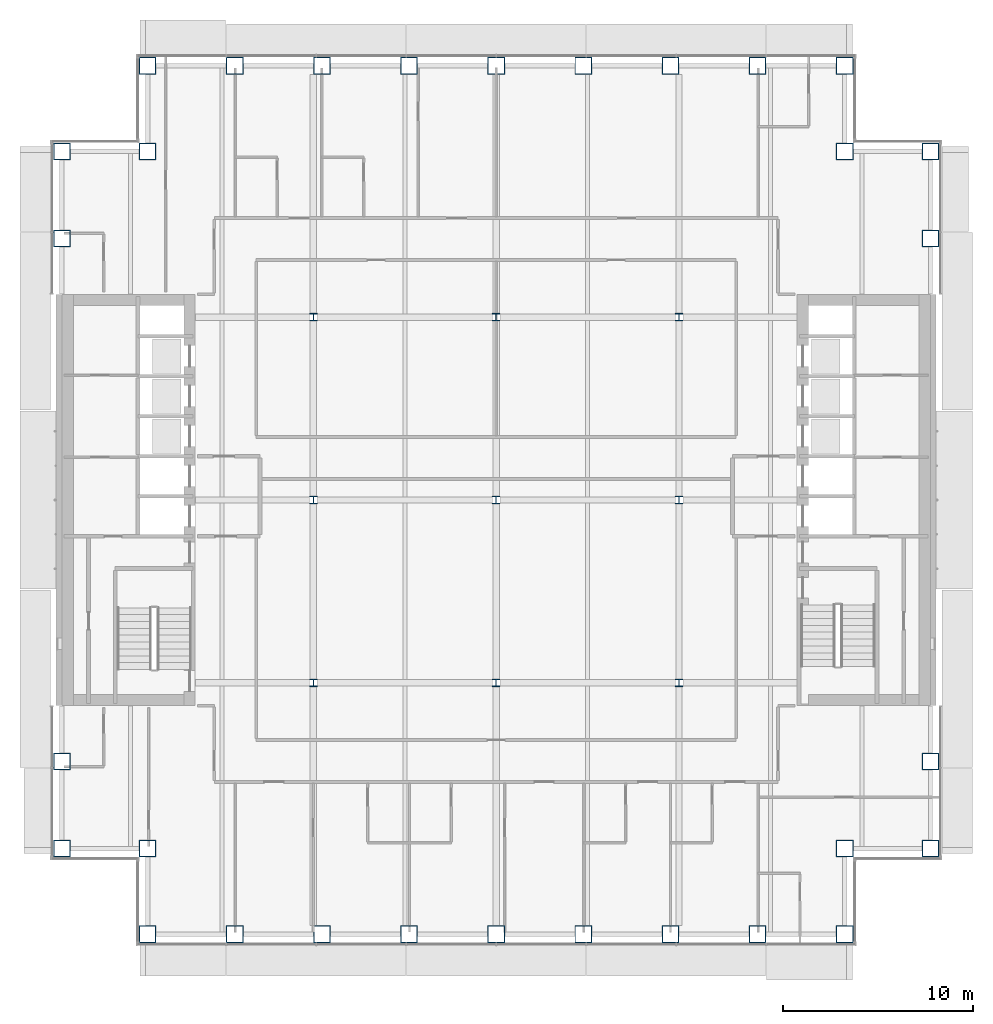
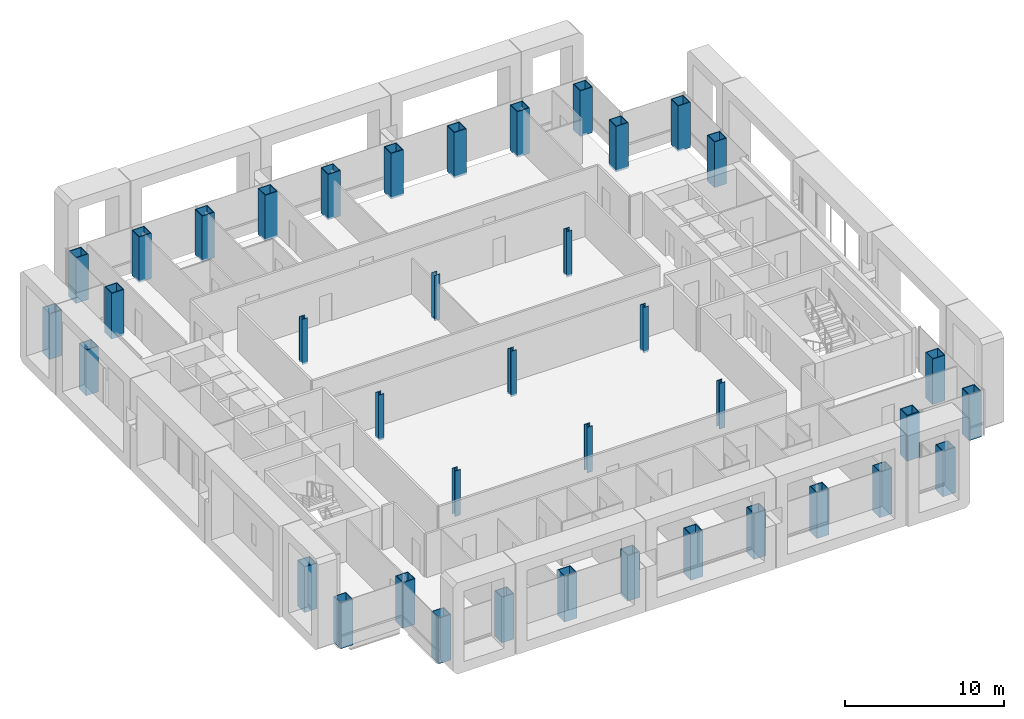
# One storey, part 1 of 19: 39 columns.
"""IFC4 building model written with IfcOpenShell, lengths in metres."""

from ifc_helpers import new_model, si_unit, direction, frame, origin, origin_2d, place, context, subcontext, project, spatial, hollow_rectangle, i_section, extrude, material, material_profile, profile_set, type_object, element, save


model = new_model("IFC4")

# Units and contexts
model_context = context("Model", 3, precision=1e-05, world=origin(), true_north=direction((0.0, 1.0)))
body_context = subcontext(model_context, "Body", "Model", "MODEL_VIEW")
ifc_project = project(units=[si_unit("LENGTHUNIT", "METRE"), si_unit("AREAUNIT", "SQUARE_METRE"), si_unit("VOLUMEUNIT", "CUBIC_METRE"), si_unit("PLANEANGLEUNIT", "RADIAN"), si_unit("MASSUNIT", "GRAM", prefix="KILO")], contexts=[model_context])

# Site, building, storey
site_placement = place(None, origin())
site = spatial("IfcSite", under=ifc_project, at=site_placement, CompositionType="ELEMENT")
building_placement = place(site_placement, origin())
building = spatial("IfcBuilding", under=site, at=building_placement, Name="Cobrizo Arcos Hotel Tower", CompositionType="ELEMENT")
storey_placement = place(building_placement, frame((0.0, 0.0, 103.0)))
storey = spatial("IfcBuildingStorey", under=building, at=storey_placement, Name="L25", CompositionType="ELEMENT", Elevation=103.0)

# Columns
ifc_material_1 = material(Name="Steel ASTM A572 Grade 50", Category="steel")
ifc_material_profile_1 = material_profile(ifc_material_1, hollow_rectangle(XDim=0.89990234375, YDim=0.89990234375, WallThickness=0.050048828125, at=origin_2d()), Name="BOX 900X900X50")
ifc_profile_set_1 = profile_set([ifc_material_profile_1], Name="Steel ASTM A572 Grade 50")
column_type_1 = type_object("IfcColumnType", Name="BOX 900X900X50 column", PredefinedType="COLUMN", material=ifc_profile_set_1)
for number, where, z_axis, x_axis, name in (
    (1, (-18.300048828125, 22.800048828125, -0.14990234375), (0.0, 0.0, 1.0), (1.0, 0.0, 0.0), "Perimeter column C6, L25, no. 00"),
    (2, (-18.300048828125, -22.800048828125, -0.14990234375), (0.0, 0.0, 1.0), (1.0, 0.0, 0.0), "Perimeter column C6, L25, no. 01"),
    (3, (-13.72509765625, 22.800048828125, -0.14990234375), (0.0, 0.0, 1.0), (1.0, 0.0, 0.0), "Perimeter column C6, L25, no. 02"),
    (4, (-13.72509765625, -22.800048828125, -0.14990234375), (0.0, 0.0, 1.0), (1.0, 0.0, 0.0), "Perimeter column C6, L25, no. 03"),
    (5, (-9.14990234375, 22.800048828125, -0.14990234375), (0.0, 0.0, 1.0), (1.0, 0.0, 0.0), "Perimeter column C6, L25, no. 04"),
    (6, (-9.14990234375, -22.800048828125, -0.14990234375), (0.0, 0.0, 1.0), (1.0, 0.0, 0.0), "Perimeter column C6, L25, no. 05"),
    (7, (-4.574951171875, 22.800048828125, -0.14990234375), (0.0, 0.0, 1.0), (1.0, 0.0, 0.0), "Perimeter column C6, L25, no. 06"),
    (8, (-4.574951171875, -22.800048828125, -0.14990234375), (0.0, 0.0, 1.0), (1.0, 0.0, 0.0), "Perimeter column C6, L25, no. 07"),
    (9, (0.0, 22.800048828125, -0.14990234375), (0.0, 0.0, 1.0), (1.0, 0.0, 0.0), "Perimeter column C6, L25, no. 08"),
    (10, (0.0, -22.800048828125, -0.14990234375), (0.0, 0.0, 1.0), (1.0, 0.0, 0.0), "Perimeter column C6, L25, no. 09"),
    (11, (4.574951171875, 22.800048828125, -0.14990234375), (0.0, 0.0, 1.0), (1.0, 0.0, 0.0), "Perimeter column C6, L25, no. 10"),
    (12, (4.574951171875, -22.800048828125, -0.14990234375), (0.0, 0.0, 1.0), (1.0, 0.0, 0.0), "Perimeter column C6, L25, no. 11"),
    (13, (9.14990234375, 22.800048828125, -0.14990234375), (0.0, 0.0, 1.0), (1.0, 0.0, 0.0), "Perimeter column C6, L25, no. 12"),
    (14, (9.14990234375, -22.800048828125, -0.14990234375), (0.0, 0.0, 1.0), (1.0, 0.0, 0.0), "Perimeter column C6, L25, no. 13"),
    (15, (13.72509765625, 22.800048828125, -0.14990234375), (0.0, 0.0, 1.0), (1.0, 0.0, 0.0), "Perimeter column C6, L25, no. 14"),
    (16, (13.72509765625, -22.800048828125, -0.14990234375), (0.0, 0.0, 1.0), (1.0, 0.0, 0.0), "Perimeter column C6, L25, no. 15"),
    (17, (18.300048828125, 22.800048828125, -0.14990234375), (0.0, 0.0, 1.0), (1.0, 0.0, 0.0), "Perimeter column C6, L25, no. 16"),
    (18, (18.300048828125, -22.800048828125, -0.14990234375), (0.0, 0.0, 1.0), (1.0, 0.0, 0.0), "Perimeter column C6, L25, no. 17"),
    (19, (22.800048828125, -18.300048828125, -0.14990234375), (0.0, 0.0, 1.0), (1.0, 0.0, 0.0), "Perimeter column C6, L25, no. 18"),
    (20, (-22.800048828125, -18.300048828125, -0.14990234375), (0.0, 0.0, 1.0), (1.0, 0.0, 0.0), "Perimeter column C6, L25, no. 19"),
    (21, (22.800048828125, -13.72509765625, -0.14990234375), (0.0, 0.0, 1.0), (1.0, 0.0, 0.0), "Perimeter column C6, L25, no. 20"),
    (22, (-22.800048828125, -13.72509765625, -0.14990234375), (0.0, 0.0, 1.0), (1.0, 0.0, 0.0), "Perimeter column C6, L25, no. 21"),
    (23, (22.800048828125, 13.72509765625, -0.14990234375), (0.0, 0.0, 1.0), (1.0, 0.0, 0.0), "Perimeter column C6, L25, no. 22"),
    (24, (-22.800048828125, 13.72509765625, -0.14990234375), (0.0, 0.0, 1.0), (1.0, 0.0, 0.0), "Perimeter column C6, L25, no. 23"),
    (25, (22.800048828125, 18.300048828125, -0.14990234375), (0.0, 0.0, 1.0), (1.0, 0.0, 0.0), "Perimeter column C6, L25, no. 24"),
    (26, (-22.800048828125, 18.300048828125, -0.14990234375), (0.0, 0.0, 1.0), (1.0, 0.0, 0.0), "Perimeter column C6, L25, no. 25"),
    (27, (-18.300048828125, -18.300048828125, -0.14990234375), (0.0, 0.0, 1.0), (1.0, 0.0, 0.0), "Perimeter column C6, L25, no. 26"),
    (28, (-18.300048828125, 18.300048828125, -0.14990234375), (0.0, 0.0, 1.0), (1.0, 0.0, 0.0), "Perimeter column C6, L25, no. 27"),
    (29, (18.300048828125, -18.300048828125, -0.14990234375), (0.0, 0.0, 1.0), (1.0, 0.0, 0.0), "Perimeter column C6, L25, no. 28"),
    (30, (18.300048828125, 18.300048828125, -0.14990234375), (0.0, 0.0, 1.0), (1.0, 0.0, 0.0), "Perimeter column C6, L25, no. 29"),
):
    element("IfcColumn", number, at=place(storey_placement, frame(where, z_axis=z_axis, x_axis=x_axis)), inside=storey, type_object=column_type_1, Name=name, PredefinedType="COLUMN", context=body_context, shape_type="SweptSolid", body=[
        extrude(hollow_rectangle(XDim=0.89990234375, YDim=0.89990234375, WallThickness=0.050048828125, at=origin_2d()), origin(), (0.0, 0.0, 1.0), 3.5),
    ])
ifc_material_2 = material(Name="Steel ASTM A992 Grade 50", Category="steel")
ifc_material_profile_2 = material_profile(ifc_material_2, i_section(OverallWidth=0.398681640625, OverallDepth=0.393798828125, WebThickness=0.022705078125, FlangeThickness=0.03662109375, at=origin_2d()), Name="W14X193")
ifc_profile_set_2 = profile_set([ifc_material_profile_2], Name="Steel ASTM A992 Grade 50")
column_type_2 = type_object("IfcColumnType", Name="W14X193 interior column", PredefinedType="COLUMN", material=ifc_profile_set_2)
for number, where, z_axis, x_axis, name in (
    (31, (-9.60009765625, -9.60009765625, -0.14990234375), (0.0, 0.0, 1.0), (1.0, 0.0, 0.0), "Interior column C7, L25, no. 00"),
    (32, (-9.60009765625, 0.0, -0.14990234375), (0.0, 0.0, 1.0), (1.0, 0.0, 0.0), "Interior column C7, L25, no. 01"),
    (33, (-9.60009765625, 9.60009765625, -0.14990234375), (0.0, 0.0, 1.0), (1.0, 0.0, 0.0), "Interior column C7, L25, no. 02"),
    (34, (0.0, -9.60009765625, -0.14990234375), (0.0, 0.0, 1.0), (1.0, 0.0, 0.0), "Interior column C7, L25, no. 03"),
    (35, (0.0, 0.0, -0.14990234375), (0.0, 0.0, 1.0), (1.0, 0.0, 0.0), "Interior column C7, L25, no. 04"),
    (36, (0.0, 9.60009765625, -0.14990234375), (0.0, 0.0, 1.0), (1.0, 0.0, 0.0), "Interior column C7, L25, no. 05"),
    (37, (9.60009765625, -9.60009765625, -0.14990234375), (0.0, 0.0, 1.0), (1.0, 0.0, 0.0), "Interior column C7, L25, no. 06"),
    (38, (9.60009765625, 0.0, -0.14990234375), (0.0, 0.0, 1.0), (1.0, 0.0, 0.0), "Interior column C7, L25, no. 07"),
    (39, (9.60009765625, 9.60009765625, -0.14990234375), (0.0, 0.0, 1.0), (1.0, 0.0, 0.0), "Interior column C7, L25, no. 08"),
):
    element("IfcColumn", number, at=place(storey_placement, frame(where, z_axis=z_axis, x_axis=x_axis)), inside=storey, type_object=column_type_2, Name=name, PredefinedType="COLUMN", context=body_context, shape_type="SweptSolid", body=[
        extrude(i_section(OverallWidth=0.398681640625, OverallDepth=0.393798828125, WebThickness=0.022705078125, FlangeThickness=0.03662109375, at=origin_2d()), origin(), (0.0, 0.0, 1.0), 3.5),
    ])

save(model, "model.ifc")
